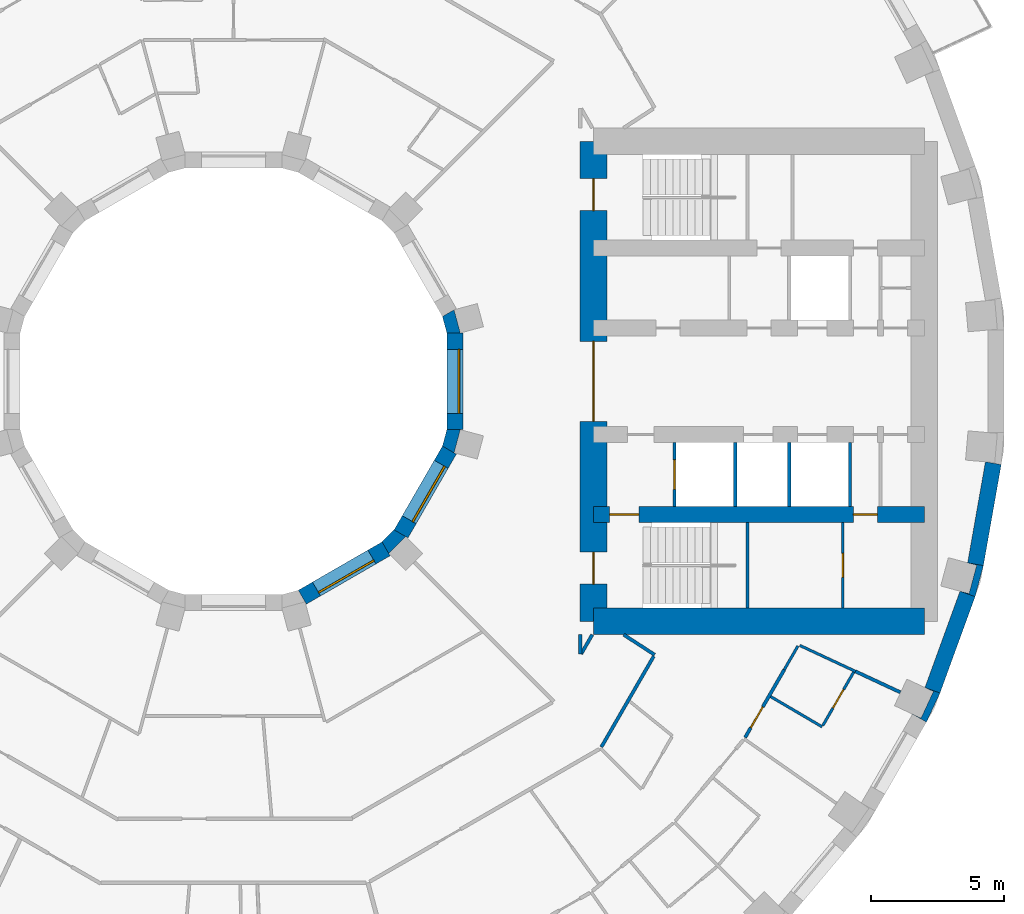
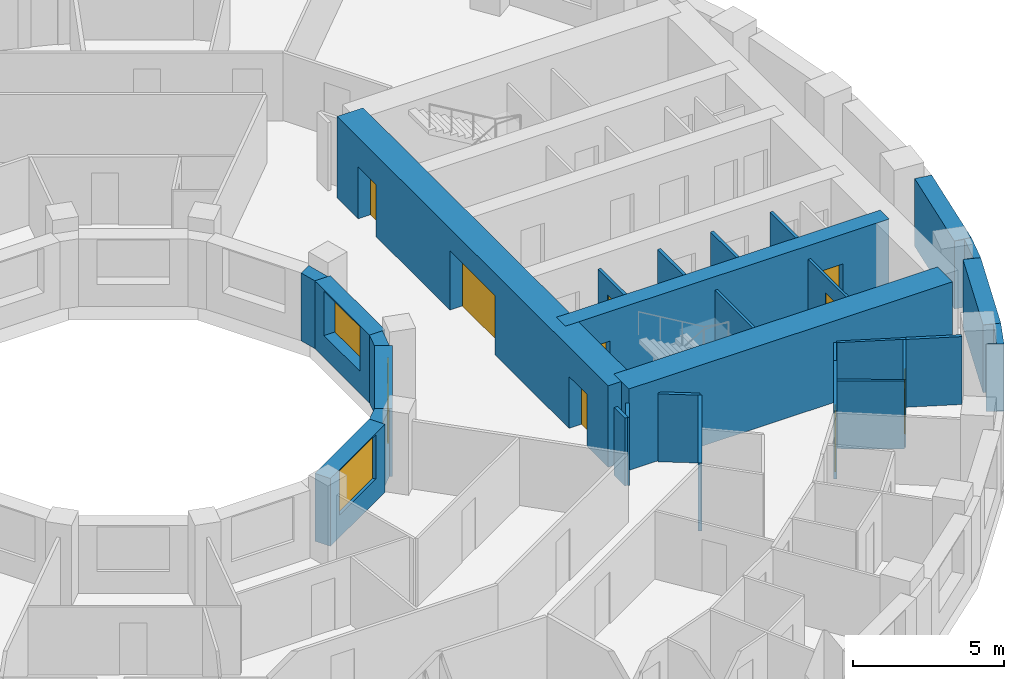
# One storey, part 8 of 15: 29 walls, 9 doors, 3 windows, 12 openings.
"""IFC4 building model written with IfcOpenShell, lengths in metres."""

from ifc_helpers import new_model, si_unit, direction, frame, frame_2d, origin, place, context, subcontext, project, spatial, polyline, rectangle, outline, extrude, material, layer, layer_set, type_object, element, fill, save


model = new_model("IFC4")

# Units and contexts
model_context = context("Model", 3, precision=1e-05, world=origin(), true_north=direction((0.0, 1.0)))
body_context = subcontext(model_context, "Body", "Model", "MODEL_VIEW")
ifc_project = project(units=[si_unit("LENGTHUNIT", "METRE"), si_unit("AREAUNIT", "SQUARE_METRE"), si_unit("VOLUMEUNIT", "CUBIC_METRE"), si_unit("PLANEANGLEUNIT", "RADIAN"), si_unit("MASSUNIT", "GRAM", prefix="KILO")], contexts=[model_context])

# Site, building, storey
site_placement = place(None, origin())
site = spatial("IfcSite", under=ifc_project, at=site_placement, CompositionType="ELEMENT")
building_placement = place(site_placement, origin())
building = spatial("IfcBuilding", under=site, at=building_placement, Name="Saqina Gate Tower", CompositionType="ELEMENT")
storey_placement = place(building_placement, frame((0.0, 0.0, 69.199951171875)))
storey = spatial("IfcBuildingStorey", under=building, at=storey_placement, Name="L19", CompositionType="ELEMENT", Elevation=69.199951171875)

# Walls
ifc_material_1 = material(Name="Brick masonry (red)", Category="masonry")
wall_type_1 = type_object("IfcWallType", Name="BRICK PIER COPING RED", PredefinedType="SOLIDWALL", material=ifc_material_1)
wall_1_placement = place(storey_placement, origin())
element("IfcWall", 1, at=wall_1_placement, inside=storey, type_object=wall_type_1, Name="Pier cap L19 column 34", PredefinedType="SOLIDWALL", context=body_context, shape_type="SweptSolid", body=[
    extrude(outline(polyline([(26.48974609375, -11.687744140625), (25.92578125, -11.482666015625), (26.243408203125, -11.630615234375), (25.778564453125, -12.627685546875), (25.4609375, -12.4794921875), (25.980712890625, -12.779541015625), (26.48974609375, -11.687744140625)])), origin(), (0.0, 0.0, 1.0), 2.75),
])
wall_2_placement = place(storey_placement, origin())
element("IfcWall", 2, at=wall_2_placement, inside=storey, type_object=wall_type_1, Name="Pier cap L19 column 35", PredefinedType="SOLIDWALL", context=body_context, shape_type="SweptSolid", body=[
    extrude(outline(polyline([(28.11669921875, -6.910400390625), (27.52587890625, -6.80615234375), (27.864501953125, -6.896728515625), (27.57958984375, -7.95947265625), (27.2412109375, -7.86865234375), (27.80517578125, -8.073974609375), (28.11669921875, -6.910400390625)])), origin(), (0.0, 0.0, 1.0), 2.75),
])

# Wall, opening, door
ifc_material_2 = material(Name="Gypsum board on steel studs", Category="steel")
ifc_layer_1 = layer(ifc_material_2, 0.10009765625)
ifc_layer_set_1 = layer_set([ifc_layer_1], Name="CORE PARTITION")
wall_type_2 = type_object("IfcWallType", Name="CORE PARTITION", PredefinedType="PARTITIONING", material=ifc_layer_set_1)
wall_3_placement = place(storey_placement, frame((22.846435546875, -8.5, 0.0), z_axis=(0.0, 0.0, 1.0), x_axis=(0.0, 1.0, 0.0)))
wall_3 = element("IfcWall", 3, at=wall_3_placement, inside=storey, type_object=wall_type_2, Name="L19-CP-E14", PredefinedType="PARTITIONING", context=body_context, shape_type="SweptSolid", body=[
    extrude(rectangle(XDim=3.199951171875, YDim=0.10009765625, at=frame_2d((1.60009765625, 0.0))), origin(), (0.0, 0.0, 1.0), 2.75),
])
opening_1_placement = place(wall_3_placement, frame((1.14990234375, 0.0, 0.0)))
opening_1 = element("IfcOpeningElement", 4, at=opening_1_placement, cuts=wall_3, Name="Opening G05-D100", PredefinedType="OPENING", context=body_context, shape_type="SweptSolid", body=[
    extrude(rectangle(XDim=0.89990234375, YDim=2.10009765625, at=frame_2d((0.449951171875, 1.050048828125))), frame((0.0, 0.06201171875, 0.0), z_axis=(0.0, -1.0, 0.0), x_axis=(1.0, 0.0, 0.0)), (0.0, 0.0, 1.0), 0.1240234375),
])
ifc_material_3 = material(Name="Steel-framed fire door leaf, EI 60", Category="steel")
door_type_1 = type_object("IfcDoorType", Name="SERVICE ROOM DOOR 900", OperationType="SINGLE_SWING_LEFT", PredefinedType="DOOR", material=ifc_material_3)
door_1_placement = place(opening_1_placement, origin())
door_1 = element("IfcDoor", 5, at=door_1_placement, inside=storey, type_object=door_type_1, Name="L19-CD-E11", OperationType="SINGLE_SWING_LEFT", OverallHeight=2.10009765625, OverallWidth=0.89990234375, PredefinedType="DOOR", context=body_context, shape_type="SweptSolid", body=[
    extrude(rectangle(XDim=0.89990234375, YDim=2.10009765625, at=frame_2d((0.449951171875, 1.050048828125))), frame((0.0, 0.02490234375, 0.0), z_axis=(0.0, -1.0, 0.0), x_axis=(1.0, 0.0, 0.0)), (0.0, 0.0, 1.0), 0.050048828125),
])
fill(opening_1, door_1)

# Walls
ifc_material_4 = material(Name="Glazed ceramic tile", Category="ceramic")
ifc_layer_2 = layer(ifc_material_4, 0.60009765625)
ifc_layer_set_2 = layer_set([ifc_layer_2], Name="FW-TILE")
wall_type_3 = type_object("IfcWallType", Name="FW-TILE", PredefinedType="SOLIDWALL", material=ifc_layer_set_2)
wall_4_placement = place(storey_placement, frame((26.207763671875, -11.585205078125, 0.0), z_axis=(0.0, 0.0, 1.0), x_axis=(0.342028474173, 0.939689588564, 0.0)))
element("IfcWall", 6, at=wall_4_placement, inside=storey, type_object=wall_type_3, Name="Facade wall L19 facet 34", PredefinedType="SOLIDWALL", context=body_context, shape_type="SweptSolid", body=[
    extrude(rectangle(XDim=3.845947265625, YDim=0.60009765625, at=frame_2d((1.9228515625, 0.0))), origin(), (0.0, 0.0, 1.0), 2.75),
])
ifc_material_5 = material(Name="Glazed ceramic tile (dark blue)", Category="ceramic")
ifc_layer_3 = layer(ifc_material_5, 0.60009765625)
ifc_layer_set_3 = layer_set([ifc_layer_3], Name="FW-TILE-CB")
wall_type_4 = type_object("IfcWallType", Name="FW-TILE-CB", PredefinedType="SOLIDWALL", material=ifc_layer_set_3)
wall_5_placement = place(storey_placement, frame((27.8212890625, -6.858154296875, 0.0), z_axis=(0.0, 0.0, 1.0), x_axis=(0.173687553279, 0.984800809218, 0.0)))
element("IfcWall", 7, at=wall_5_placement, inside=storey, type_object=wall_type_4, Name="Facade wall L19 facet 35", PredefinedType="SOLIDWALL", context=body_context, shape_type="SweptSolid", body=[
    extrude(rectangle(XDim=3.845703125, YDim=0.60009765625, at=frame_2d((1.9228515625, 0.0))), origin(), (0.0, 0.0, 1.0), 2.75),
])

# Wall, opening, window
ifc_material_6 = material(Name="Glazed ceramic tile", Category="ceramic")
ifc_layer_4 = layer(ifc_material_6, 0.60009765625)
ifc_layer_set_4 = layer_set([ifc_layer_4], Name="IW-TILE")
wall_type_5 = type_object("IfcWallType", Name="IW-TILE", PredefinedType="SOLIDWALL", material=ifc_layer_set_4)
wall_6_placement = place(storey_placement, frame((2.580322265625, -8.09423828125, 0.0), z_axis=(0.0, 0.0, 1.0), x_axis=(0.866029693906, 0.499992569217, 0.0)))
wall_6 = element("IfcWall", 8, at=wall_6_placement, inside=storey, type_object=wall_type_5, Name="Well wall L19 facet 10", PredefinedType="SOLIDWALL", context=body_context, shape_type="SweptSolid", body=[
    extrude(rectangle(XDim=3.625, YDim=0.60009765625, at=frame_2d((1.8125, 0.0))), origin(), (0.0, 0.0, 1.0), 2.75),
])
opening_2_placement = place(wall_6_placement, frame((0.612548828125, 0.0, 0.89990234375)))
opening_2 = element("IfcOpeningElement", 9, at=opening_2_placement, cuts=wall_6, Name="Opening G05-W32", PredefinedType="OPENING", context=body_context, shape_type="SweptSolid", body=[
    extrude(rectangle(XDim=2.39990234375, YDim=1.800048828125, at=frame_2d((1.199951171875, 0.89990234375))), frame((0.0, 0.31201171875, 0.0), z_axis=(0.0, -1.0, 0.0), x_axis=(1.0, 0.0, 0.0)), (0.0, 0.0, 1.0), 0.6240234375),
])
ifc_material_7 = material(Name="Aluminium glazing", Category="aluminium")
window_type = type_object("IfcWindowType", Name="WN-W", PartitioningType="SINGLE_PANEL", PredefinedType="WINDOW", material=ifc_material_7)
window_1_placement = place(opening_2_placement, origin())
window_1 = element("IfcWindow", 10, at=window_1_placement, inside=storey, type_object=window_type, Name="Well window L19 facet 10", OverallHeight=1.800048828125, OverallWidth=2.39990234375, PartitioningType="SINGLE_PANEL", PredefinedType="WINDOW", context=body_context, shape_type="SweptSolid", body=[
    extrude(rectangle(XDim=2.39990234375, YDim=1.800048828125, at=frame_2d((1.199951171875, 0.89990234375))), frame((0.0, -0.119873046875, 0.0), z_axis=(0.0, -1.0, 0.0), x_axis=(1.0, 0.0, 0.0)), (0.0, 0.0, 1.0), 0.06005859375),
])
fill(opening_2, window_1)

wall_7_placement = place(storey_placement, frame((6.28173828125, -5.7197265625, 0.0), z_axis=(0.0, 0.0, 1.0), x_axis=(0.499992569217, 0.866029693906, 0.0)))
wall_7 = element("IfcWall", 11, at=wall_7_placement, inside=storey, type_object=wall_type_5, Name="Well wall L19 facet 11", PredefinedType="SOLIDWALL", context=body_context, shape_type="SweptSolid", body=[
    extrude(rectangle(XDim=3.625, YDim=0.60009765625, at=frame_2d((1.8125, 0.0))), origin(), (0.0, 0.0, 1.0), 2.75),
])
opening_3_placement = place(wall_7_placement, frame((0.612548828125, 0.0, 0.89990234375)))
opening_3 = element("IfcOpeningElement", 12, at=opening_3_placement, cuts=wall_7, Name="Opening G05-W33", PredefinedType="OPENING", context=body_context, shape_type="SweptSolid", body=[
    extrude(rectangle(XDim=2.39990234375, YDim=1.800048828125, at=frame_2d((1.199951171875, 0.89990234375))), frame((0.0, 0.31201171875, 0.0), z_axis=(0.0, -1.0, 0.0), x_axis=(1.0, 0.0, 0.0)), (0.0, 0.0, 1.0), 0.6240234375),
])
window_2_placement = place(opening_3_placement, origin())
window_2 = element("IfcWindow", 13, at=window_2_placement, inside=storey, type_object=window_type, Name="Well window L19 facet 11", OverallHeight=1.800048828125, OverallWidth=2.39990234375, PartitioningType="SINGLE_PANEL", PredefinedType="WINDOW", context=body_context, shape_type="SweptSolid", body=[
    extrude(rectangle(XDim=2.39990234375, YDim=1.800048828125, at=frame_2d((1.199951171875, 0.89990234375))), frame((0.0, -0.119873046875, 0.0), z_axis=(0.0, -1.0, 0.0), x_axis=(1.0, 0.0, 0.0)), (0.0, 0.0, 1.0), 0.06005859375),
])
fill(opening_3, window_2)

wall_8_placement = place(storey_placement, frame((8.300048828125, -1.8125, 0.0), z_axis=(0.0, 0.0, 1.0), x_axis=(0.0, 1.0, 0.0)))
wall_8 = element("IfcWall", 14, at=wall_8_placement, inside=storey, type_object=wall_type_5, Name="Well wall L19 facet 12", PredefinedType="SOLIDWALL", context=body_context, shape_type="SweptSolid", body=[
    extrude(rectangle(XDim=3.625, YDim=0.60009765625, at=frame_2d((1.8125, 0.0))), origin(), (0.0, 0.0, 1.0), 2.75),
])
opening_4_placement = place(wall_8_placement, frame((0.612548828125, 0.0, 0.89990234375)))
opening_4 = element("IfcOpeningElement", 15, at=opening_4_placement, cuts=wall_8, Name="Opening G05-W34", PredefinedType="OPENING", context=body_context, shape_type="SweptSolid", body=[
    extrude(rectangle(XDim=2.39990234375, YDim=1.800048828125, at=frame_2d((1.199951171875, 0.89990234375))), frame((0.0, 0.31201171875, 0.0), z_axis=(0.0, -1.0, 0.0), x_axis=(1.0, 0.0, 0.0)), (0.0, 0.0, 1.0), 0.6240234375),
])
window_3_placement = place(opening_4_placement, origin())
window_3 = element("IfcWindow", 16, at=window_3_placement, inside=storey, type_object=window_type, Name="Well window L19 facet 12", OverallHeight=1.800048828125, OverallWidth=2.39990234375, PartitioningType="SINGLE_PANEL", PredefinedType="WINDOW", context=body_context, shape_type="SweptSolid", body=[
    extrude(rectangle(XDim=2.39990234375, YDim=1.800048828125, at=frame_2d((1.199951171875, 0.89990234375))), frame((0.0, -0.119873046875, 0.0), z_axis=(0.0, -1.0, 0.0), x_axis=(1.0, 0.0, 0.0)), (0.0, 0.0, 1.0), 0.06005859375),
])
fill(opening_4, window_3)

# Walls
ifc_material_8 = material(Name="Gypsum board on steel studs, 100 mm", Category="steel")
ifc_layer_5 = layer(ifc_material_8, 0.10009765625)
ifc_layer_set_5 = layer_set([ifc_layer_5], Name="PARTITION 100")
wall_type_6 = type_object("IfcWallType", Name="PARTITION 100", PredefinedType="PARTITIONING", material=ifc_layer_set_5)
wall_9_placement = place(storey_placement, frame((20.139892578125, -11.821533203125, 0.0), z_axis=(0.0, 0.0, 1.0), x_axis=(0.862374352329, -0.506271149134, 0.0)))
element("IfcWall", 17, at=wall_9_placement, inside=storey, type_object=wall_type_6, Name="PARTITION PW3-42", PredefinedType="PARTITIONING", context=body_context, shape_type="SweptSolid", body=[
    extrude(rectangle(XDim=2.237060546875, YDim=0.10009765625, at=frame_2d((1.11865234375, 0.0))), origin(), (0.0, 0.0, 1.0), 2.75),
])
wall_10_placement = place(storey_placement, frame((21.232421875, -9.903076171875, 0.0), z_axis=(0.0, 0.0, 1.0), x_axis=(0.906274952778, -0.422688667896, 0.0)))
element("IfcWall", 18, at=wall_10_placement, inside=storey, type_object=wall_type_6, Name="PARTITION PW3-49", PredefinedType="PARTITIONING", context=body_context, shape_type="SweptSolid", body=[
    extrude(rectangle(XDim=2.30908203125, YDim=0.10009765625, at=frame_2d((1.154541015625, 0.0))), origin(), (0.0, 0.0, 1.0), 2.75),
])

# Wall, opening, door
wall_11_placement = place(storey_placement, frame((22.093994140625, -12.91064453125, 0.0), z_axis=(0.0, 0.0, 1.0), x_axis=(0.500223263977, 0.865896463889, 0.0)))
wall_11 = element("IfcWall", 19, at=wall_11_placement, inside=storey, type_object=wall_type_6, Name="PARTITION PW3-96", PredefinedType="PARTITIONING", context=body_context, shape_type="SweptSolid", body=[
    extrude(rectangle(XDim=2.32080078125, YDim=0.10009765625, at=frame_2d((1.160400390625, 0.0))), origin(), (0.0, 0.0, 1.0), 2.75),
])
opening_5_placement = place(wall_11_placement, frame((0.761474609375, 0.0, 0.0)))
opening_5 = element("IfcOpeningElement", 20, at=opening_5_placement, cuts=wall_11, Name="Opening G05-D68", PredefinedType="OPENING", context=body_context, shape_type="SweptSolid", body=[
    extrude(rectangle(XDim=0.800048828125, YDim=2.10009765625, at=frame_2d((0.39990234375, 1.050048828125))), frame((0.0, 0.06201171875, 0.0), z_axis=(0.0, -1.0, 0.0), x_axis=(1.0, 0.0, 0.0)), (0.0, 0.0, 1.0), 0.1240234375),
])
ifc_material_9 = material(Name="Timber door leaf, 800 mm", Category="wood")
door_type_2 = type_object("IfcDoorType", Name="DOOR 800 TIMBER", OperationType="SINGLE_SWING_LEFT", PredefinedType="DOOR", material=ifc_material_9)
door_2_placement = place(opening_5_placement, frame((0.800048828125, 0.0, 0.0), z_axis=(0.0, 0.0, 1.0), x_axis=(-1.0, 0.0, 0.0)))
door_2 = element("IfcDoor", 21, at=door_2_placement, inside=storey, type_object=door_type_2, Name="DOOR G05-D68", OperationType="SINGLE_SWING_LEFT", OverallHeight=2.10009765625, OverallWidth=0.800048828125, PredefinedType="DOOR", context=body_context, shape_type="SweptSolid", body=[
    extrude(rectangle(XDim=0.800048828125, YDim=2.10009765625, at=frame_2d((0.39990234375, 1.050048828125))), frame((0.0, 0.02490234375, 0.0), z_axis=(0.0, -1.0, 0.0), x_axis=(1.0, 0.0, 0.0)), (0.0, 0.0, 1.0), 0.050048828125),
])
fill(opening_5, door_2)

# Walls
wall_12_placement = place(storey_placement, frame((20.646484375, -10.818603515625, 0.0), z_axis=(0.0, 0.0, 1.0), x_axis=(0.499797427156, 0.866142327685, 0.0)))
element("IfcWall", 22, at=wall_12_placement, inside=storey, type_object=wall_type_6, Name="PARTITION PW3-97", PredefinedType="PARTITIONING", context=body_context, shape_type="SweptSolid", body=[
    extrude(rectangle(XDim=1.03369140625, YDim=0.10009765625, at=frame_2d((0.516845703125, 0.0))), origin(), (0.0, 0.0, 1.0), 2.75),
])
ifc_material_10 = material(Name="Gypsum board on steel studs, 125 mm, fire rated", Category="steel")
ifc_layer_6 = layer(ifc_material_10, 0.125)
ifc_layer_set_6 = layer_set([ifc_layer_6], Name="PARTITION EI 30 125")
wall_type_7 = type_object("IfcWallType", Name="PARTITION EI 30 125", PredefinedType="PARTITIONING", material=ifc_layer_set_6)
wall_13_placement = place(storey_placement, frame((14.62890625, -9.5, 0.0), z_axis=(0.0, 0.0, 1.0), x_axis=(0.838830573332, -0.544392569056, 0.0)))
element("IfcWall", 23, at=wall_13_placement, inside=storey, type_object=wall_type_7, Name="PARTITION PW1-08", PredefinedType="PARTITIONING", context=body_context, shape_type="SweptSolid", body=[
    extrude(rectangle(XDim=1.383056640625, YDim=0.125, at=frame_2d((0.69140625, 0.0))), origin(), (0.0, 0.0, 1.0), 2.75),
])
wall_14_placement = place(storey_placement, frame((23.3251953125, -10.879150390625, 0.0), z_axis=(0.0, 0.0, 1.0), x_axis=(0.906348054162, -0.422531897869, 0.0)))
element("IfcWall", 24, at=wall_14_placement, inside=storey, type_object=wall_type_7, Name="PARTITION PW1-15", PredefinedType="PARTITIONING", context=body_context, shape_type="SweptSolid", body=[
    extrude(rectangle(XDim=1.8525390625, YDim=0.125, at=frame_2d((0.92626953125, 0.0))), origin(), (0.0, 0.0, 1.0), 2.75),
])

# Wall, opening, door
wall_15_placement = place(storey_placement, frame((19.182373046875, -13.35498046875, 0.0), z_axis=(0.0, 0.0, 1.0), x_axis=(0.500092867575, 0.865971780025, 0.0)))
wall_15 = element("IfcWall", 25, at=wall_15_placement, inside=storey, type_object=wall_type_7, Name="PARTITION PW1-46", PredefinedType="PARTITIONING", context=body_context, shape_type="SweptSolid", body=[
    extrude(rectangle(XDim=2.9287109375, YDim=0.125, at=frame_2d((1.46435546875, 0.0))), origin(), (0.0, 0.0, 1.0), 2.75),
])
opening_6_placement = place(wall_15_placement, frame((0.42236328125, 0.0, 0.0)))
opening_6 = element("IfcOpeningElement", 26, at=opening_6_placement, cuts=wall_15, Name="Opening G05-D67", PredefinedType="OPENING", context=body_context, shape_type="SweptSolid", body=[
    extrude(rectangle(XDim=0.89990234375, YDim=2.10009765625, at=frame_2d((0.449951171875, 1.050048828125))), frame((0.0, 0.074462890625, 0.0), z_axis=(0.0, -1.0, 0.0), x_axis=(1.0, 0.0, 0.0)), (0.0, 0.0, 1.0), 0.14892578125),
])
ifc_material_11 = material(Name="Fire door leaf EI 30, 900 mm")
door_type_3 = type_object("IfcDoorType", Name="DOOR 900 EI 30", OperationType="SINGLE_SWING_LEFT", PredefinedType="DOOR", material=ifc_material_11)
door_3_placement = place(opening_6_placement, origin())
door_3 = element("IfcDoor", 27, at=door_3_placement, inside=storey, type_object=door_type_3, Name="DOOR G05-D67", OperationType="SINGLE_SWING_LEFT", OverallHeight=2.10009765625, OverallWidth=0.89990234375, PredefinedType="DOOR", context=body_context, shape_type="SweptSolid", body=[
    extrude(rectangle(XDim=0.89990234375, YDim=2.10009765625, at=frame_2d((0.449951171875, 1.050048828125))), frame((0.0, 0.02490234375, 0.0), z_axis=(0.0, -1.0, 0.0), x_axis=(1.0, 0.0, 0.0)), (0.0, 0.0, 1.0), 0.050048828125),
])
fill(opening_6, door_3)

# Walls
wall_16_placement = place(storey_placement, frame((13.794189453125, -13.708984375, 0.0), z_axis=(0.0, 0.0, 1.0), x_axis=(0.499916150712, 0.866073808781, 0.0)))
element("IfcWall", 28, at=wall_16_placement, inside=storey, type_object=wall_type_7, Name="PARTITION PW1-47", PredefinedType="PARTITIONING", context=body_context, shape_type="SweptSolid", body=[
    extrude(rectangle(XDim=3.927978515625, YDim=0.125, at=frame_2d((1.9638671875, 0.0))), origin(), (0.0, 0.0, 1.0), 2.75),
])
wall_17_placement = place(storey_placement, frame((13.034912109375, -10.222412109375, 0.0), z_axis=(0.0, 0.0, 1.0), x_axis=(0.49991670217, 0.866073490468, 0.0)))
element("IfcWall", 29, at=wall_17_placement, inside=storey, type_object=wall_type_7, Name="PARTITION PW1-48", PredefinedType="PARTITIONING", context=body_context, shape_type="SweptSolid", body=[
    extrude(rectangle(XDim=0.834228515625, YDim=0.125, at=frame_2d((0.4169921875, 0.0))), origin(), (0.0, 0.0, 1.0), 2.75),
])
wall_18_placement = place(storey_placement, frame((13.0, -10.220458984375, 0.0), z_axis=(0.0, 0.0, 1.0), x_axis=(0.0, 1.0, 0.0)))
element("IfcWall", 30, at=wall_18_placement, inside=storey, type_object=wall_type_7, Name="PARTITION PW1-53", PredefinedType="PARTITIONING", context=body_context, shape_type="SweptSolid", body=[
    extrude(rectangle(XDim=0.720458984375, YDim=0.125, at=frame_2d((0.3603515625, 0.0))), origin(), (0.0, 0.0, 1.0), 2.75),
])

# Wall, opening, door
ifc_material_12 = material(Name="Autoclaved aerated concrete block", Category="concrete")
ifc_layer_7 = layer(ifc_material_12, 0.1201171875)
ifc_layer_set_7 = layer_set([ifc_layer_7], Name="SHAFT PARTITION")
wall_type_8 = type_object("IfcWallType", Name="SHAFT PARTITION", PredefinedType="PARTITIONING", material=ifc_layer_set_7)
wall_19_placement = place(storey_placement, frame((16.530029296875, -4.699951171875, 0.0), z_axis=(0.0, 0.0, 1.0), x_axis=(0.0, 1.0, 0.0)))
wall_19 = element("IfcWall", 31, at=wall_19_placement, inside=storey, type_object=wall_type_8, Name="L19-CP-E05", PredefinedType="PARTITIONING", context=body_context, shape_type="SweptSolid", body=[
    extrude(rectangle(XDim=2.39990234375, YDim=0.1201171875, at=frame_2d((1.199951171875, 0.0))), origin(), (0.0, 0.0, 1.0), 2.75),
])
opening_7_placement = place(wall_19_placement, frame((0.64990234375, 0.0, 0.0)))
opening_7 = element("IfcOpeningElement", 32, at=opening_7_placement, cuts=wall_19, Name="Opening G05-LD2", PredefinedType="OPENING", context=body_context, shape_type="SweptSolid", body=[
    extrude(rectangle(XDim=1.10009765625, YDim=2.10009765625, at=frame_2d((0.550048828125, 1.050048828125))), frame((0.0, 0.072021484375, 0.0), z_axis=(0.0, -1.0, 0.0), x_axis=(1.0, 0.0, 0.0)), (0.0, 0.0, 1.0), 0.14404296875),
])
ifc_material_13 = material(Name="Stainless steel", Category="steel")
door_type_4 = type_object("IfcDoorType", Name="LANDING DOOR", OperationType="DOUBLE_DOOR_SLIDING", PredefinedType="DOOR", material=ifc_material_13)
door_4_placement = place(opening_7_placement, origin())
door_4 = element("IfcDoor", 33, at=door_4_placement, inside=storey, type_object=door_type_4, Name="LANDING DOOR FF1", OperationType="DOUBLE_DOOR_SLIDING", OverallHeight=2.10009765625, OverallWidth=1.10009765625, PredefinedType="DOOR", context=body_context, shape_type="SweptSolid", body=[
    extrude(rectangle(XDim=1.10009765625, YDim=2.10009765625, at=frame_2d((0.550048828125, 1.050048828125))), frame((0.0, 0.02490234375, 0.0), z_axis=(0.0, -1.0, 0.0), x_axis=(1.0, 0.0, 0.0)), (0.0, 0.0, 1.0), 0.050048828125),
])
fill(opening_7, door_4)

# Walls
for number, where, z_axis, x_axis, name in (
    (34, (18.81005859375, -4.699951171875, 0.0), (0.0, 0.0, 1.0), (0.0, 1.0, 0.0), "L19-CP-E06"),
    (35, (20.840087890625, -4.699951171875, 0.0), (0.0, 0.0, 1.0), (0.0, 1.0, 0.0), "L19-CP-E07"),
    (36, (23.1201171875, -4.699951171875, 0.0), (0.0, 0.0, 1.0), (0.0, 1.0, 0.0), "L19-CP-E08"),
):
    element("IfcWall", number, at=place(storey_placement, frame(where, z_axis=z_axis, x_axis=x_axis)), inside=storey, type_object=wall_type_8, Name=name, PredefinedType="PARTITIONING", context=body_context, shape_type="SweptSolid", body=[
        extrude(rectangle(XDim=2.39990234375, YDim=0.1201171875, at=frame_2d((1.199951171875, 0.0))), origin(), (0.0, 0.0, 1.0), 2.75),
    ])
ifc_material_14 = material(Name="Autoclaved aerated concrete block", Category="concrete")
ifc_layer_8 = layer(ifc_material_14, 0.10009765625)
ifc_layer_set_8 = layer_set([ifc_layer_8], Name="STAIR ENCLOSURE WALL")
wall_type_9 = type_object("IfcWallType", Name="STAIR ENCLOSURE WALL", PredefinedType="PARTITIONING", material=ifc_layer_set_8)
wall_20_placement = place(storey_placement, frame((19.27001953125, -8.5, 0.0), z_axis=(0.0, 0.0, 1.0), x_axis=(0.0, 1.0, 0.0)))
element("IfcWall", 37, at=wall_20_placement, inside=storey, type_object=wall_type_9, Name="L19-CP-E13", PredefinedType="PARTITIONING", context=body_context, shape_type="SweptSolid", body=[
    extrude(rectangle(XDim=3.199951171875, YDim=0.10009765625, at=frame_2d((1.60009765625, 0.0))), origin(), (0.0, 0.0, 1.0), 2.75),
])

# Wall, openings, doors
ifc_material_15 = material(Name="Concrete C70/85", Category="concrete")
ifc_layer_9 = layer(ifc_material_15, 0.60009765625)
ifc_layer_set_9 = layer_set([ifc_layer_9], Name="Concrete C70/85")
wall_type_10 = type_object("IfcWallType", Name="STR-CORE WALL-A-I", PredefinedType="SHEAR", material=ifc_layer_set_9)
wall_21_placement = place(storey_placement, frame((13.5, -5.0, 0.0), z_axis=(0.0, 0.0, 1.0), x_axis=(1.0, 0.0, 0.0)))
wall_21 = element("IfcWall", 38, at=wall_21_placement, inside=storey, type_object=wall_type_10, Name="CORE WALL L19 E-X2", PredefinedType="SHEAR", context=body_context, shape_type="SweptSolid", body=[
    extrude(rectangle(XDim=12.39990234375, YDim=0.60009765625, at=frame_2d((6.199951171875, 0.0))), origin(), (0.0, 0.0, 1.0), 3.300048828125),
])
opening_8_placement = place(wall_21_placement, frame((9.739990234375, 0.0, 0.0)))
opening_8 = element("IfcOpeningElement", 39, at=opening_8_placement, cuts=wall_21, Name="Opening G05-D101", PredefinedType="OPENING", context=body_context, shape_type="SweptSolid", body=[
    extrude(rectangle(XDim=0.89990234375, YDim=2.10009765625, at=frame_2d((0.449951171875, 1.050048828125))), frame((0.0, 0.31201171875, 0.0), z_axis=(0.0, -1.0, 0.0), x_axis=(1.0, 0.0, 0.0)), (0.0, 0.0, 1.0), 0.6240234375),
])
opening_9_placement = place(wall_21_placement, frame((0.60009765625, 0.0, 0.0)))
opening_9 = element("IfcOpeningElement", 40, at=opening_9_placement, cuts=wall_21, Name="Opening G05-D102", PredefinedType="OPENING", context=body_context, shape_type="SweptSolid", body=[
    extrude(rectangle(XDim=1.10009765625, YDim=2.10009765625, at=frame_2d((0.550048828125, 1.050048828125))), frame((0.0, 0.31201171875, 0.0), z_axis=(0.0, -1.0, 0.0), x_axis=(1.0, 0.0, 0.0)), (0.0, 0.0, 1.0), 0.6240234375),
])
ifc_material_16 = material(Name="Steel", Category="steel")
door_type_5 = type_object("IfcDoorType", Name="FIRE LOBBY DOOR EI 60 WIDE", OperationType="SINGLE_SWING_LEFT", PredefinedType="DOOR", material=ifc_material_16)
door_5_placement = place(opening_9_placement, frame((1.10009765625, 0.0, 0.0), z_axis=(0.0, 0.0, 1.0), x_axis=(-1.0, 0.0, 0.0)))
door_5 = element("IfcDoor", 41, at=door_5_placement, inside=storey, type_object=door_type_5, Name="L19-CD-E13", OperationType="SINGLE_SWING_RIGHT", OverallHeight=2.10009765625, OverallWidth=1.10009765625, PredefinedType="DOOR", context=body_context, shape_type="SweptSolid", body=[
    extrude(rectangle(XDim=1.10009765625, YDim=2.10009765625, at=frame_2d((0.550048828125, 1.050048828125))), frame((0.0, 0.02490234375, 0.0), z_axis=(0.0, -1.0, 0.0), x_axis=(1.0, 0.0, 0.0)), (0.0, 0.0, 1.0), 0.050048828125),
])
fill(opening_9, door_5)
door_6_placement = place(opening_8_placement, frame((0.89990234375, 0.0, 0.0), z_axis=(0.0, 0.0, 1.0), x_axis=(-1.0, 0.0, 0.0)))
door_6 = element("IfcDoor", 42, at=door_6_placement, inside=storey, type_object=door_type_1, Name="L19-CD-E12", OperationType="SINGLE_SWING_RIGHT", OverallHeight=2.10009765625, OverallWidth=0.89990234375, PredefinedType="DOOR", context=body_context, shape_type="SweptSolid", body=[
    extrude(rectangle(XDim=0.89990234375, YDim=2.10009765625, at=frame_2d((0.449951171875, 1.050048828125))), frame((0.0, 0.02490234375, 0.0), z_axis=(0.0, -1.0, 0.0), x_axis=(1.0, 0.0, 0.0)), (0.0, 0.0, 1.0), 0.050048828125),
])
fill(opening_8, door_6)

ifc_material_17 = material(Name="Concrete C70/85", Category="concrete")
ifc_layer_10 = layer(ifc_material_17, 1.0)
ifc_layer_set_10 = layer_set([ifc_layer_10], Name="Concrete C70/85")
wall_type_11 = type_object("IfcWallType", Name="STR-CORE WALL-A-O", PredefinedType="SHEAR", material=ifc_layer_set_10)
wall_22_placement = place(storey_placement, frame((13.5, -9.0, 0.0), z_axis=(0.0, 0.0, 1.0), x_axis=(0.0, 1.0, 0.0)))
wall_22 = element("IfcWall", 43, at=wall_22_placement, inside=storey, type_object=wall_type_11, Name="CORE WALL L19 E-W1", PredefinedType="SHEAR", context=body_context, shape_type="SweptSolid", body=[
    extrude(rectangle(XDim=18.0, YDim=1.0, at=frame_2d((9.0, 0.0))), origin(), (0.0, 0.0, 1.0), 3.300048828125),
])
opening_10_placement = place(wall_22_placement, frame((15.39990234375, 0.0, 0.0)))
opening_10 = element("IfcOpeningElement", 44, at=opening_10_placement, cuts=wall_22, Name="Opening G05-D103", PredefinedType="OPENING", context=body_context, shape_type="SweptSolid", body=[
    extrude(rectangle(XDim=1.199951171875, YDim=2.10009765625, at=frame_2d((0.60009765625, 1.050048828125))), frame((0.0, 0.511962890625, 0.0), z_axis=(0.0, -1.0, 0.0), x_axis=(1.0, 0.0, 0.0)), (0.0, 0.0, 1.0), 1.02392578125),
])
opening_11_placement = place(wall_22_placement, frame((1.39990234375, 0.0, 0.0)))
opening_11 = element("IfcOpeningElement", 45, at=opening_11_placement, cuts=wall_22, Name="Opening G05-D104", PredefinedType="OPENING", context=body_context, shape_type="SweptSolid", body=[
    extrude(rectangle(XDim=1.199951171875, YDim=2.10009765625, at=frame_2d((0.60009765625, 1.050048828125))), frame((0.0, 0.511962890625, 0.0), z_axis=(0.0, -1.0, 0.0), x_axis=(1.0, 0.0, 0.0)), (0.0, 0.0, 1.0), 1.02392578125),
])
opening_12_placement = place(wall_22_placement, frame((7.5, 0.0, 0.0)))
opening_12 = element("IfcOpeningElement", 46, at=opening_12_placement, cuts=wall_22, Name="Opening G05-D105", PredefinedType="OPENING", context=body_context, shape_type="SweptSolid", body=[
    extrude(rectangle(XDim=3.0, YDim=2.39990234375, at=frame_2d((1.5, 1.199951171875))), frame((0.0, 0.511962890625, 0.0), z_axis=(0.0, -1.0, 0.0), x_axis=(1.0, 0.0, 0.0)), (0.0, 0.0, 1.0), 1.02392578125),
])
ifc_material_18 = material(Name="Steel", Category="steel")
door_type_6 = type_object("IfcDoorType", Name="FIRE DOOR EI 60", OperationType="SINGLE_SWING_LEFT", PredefinedType="DOOR", material=ifc_material_18)
door_7_placement = place(opening_10_placement, frame((1.199951171875, 0.0, 0.0), z_axis=(0.0, 0.0, 1.0), x_axis=(-1.0, 0.0, 0.0)))
door_7 = element("IfcDoor", 47, at=door_7_placement, inside=storey, type_object=door_type_6, Name="L19-CD-E14", OperationType="SINGLE_SWING_LEFT", OverallHeight=2.10009765625, OverallWidth=1.199951171875, PredefinedType="DOOR", context=body_context, shape_type="SweptSolid", body=[
    extrude(rectangle(XDim=1.199951171875, YDim=2.10009765625, at=frame_2d((0.60009765625, 1.050048828125))), frame((0.0, 0.02490234375, 0.0), z_axis=(0.0, -1.0, 0.0), x_axis=(1.0, 0.0, 0.0)), (0.0, 0.0, 1.0), 0.050048828125),
])
fill(opening_10, door_7)
door_8_placement = place(opening_11_placement, frame((1.199951171875, 0.0, 0.0), z_axis=(0.0, 0.0, 1.0), x_axis=(-1.0, 0.0, 0.0)))
door_8 = element("IfcDoor", 48, at=door_8_placement, inside=storey, type_object=door_type_6, Name="L19-CD-E15", OperationType="SINGLE_SWING_RIGHT", OverallHeight=2.10009765625, OverallWidth=1.199951171875, PredefinedType="DOOR", context=body_context, shape_type="SweptSolid", body=[
    extrude(rectangle(XDim=1.199951171875, YDim=2.10009765625, at=frame_2d((0.60009765625, 1.050048828125))), frame((0.0, 0.02490234375, 0.0), z_axis=(0.0, -1.0, 0.0), x_axis=(1.0, 0.0, 0.0)), (0.0, 0.0, 1.0), 0.050048828125),
])
fill(opening_11, door_8)
ifc_material_19 = material(Name="Steel and fire-resisting glass", Category="steel")
door_type_7 = type_object("IfcDoorType", Name="LOBBY SCREEN DOOR", OperationType="DOUBLE_DOOR_SLIDING", PredefinedType="DOOR", material=ifc_material_19)
door_9_placement = place(opening_12_placement, origin())
door_9 = element("IfcDoor", 49, at=door_9_placement, inside=storey, type_object=door_type_7, Name="L19-CD-E16", OperationType="DOUBLE_DOOR_SLIDING", OverallHeight=2.39990234375, OverallWidth=3.0, PredefinedType="DOOR", context=body_context, shape_type="SweptSolid", body=[
    extrude(rectangle(XDim=3.0, YDim=2.39990234375, at=frame_2d((1.5, 1.199951171875))), frame((0.0, 0.02490234375, 0.0), z_axis=(0.0, -1.0, 0.0), x_axis=(1.0, 0.0, 0.0)), (0.0, 0.0, 1.0), 0.050048828125),
])
fill(opening_12, door_9)

# Walls
wall_23_placement = place(storey_placement, frame((13.5, -9.0, 0.0), z_axis=(0.0, 0.0, 1.0), x_axis=(1.0, 0.0, 0.0)))
element("IfcWall", 50, at=wall_23_placement, inside=storey, type_object=wall_type_11, Name="CORE WALL L19 E-SE", PredefinedType="SHEAR", context=body_context, shape_type="SweptSolid", body=[
    extrude(rectangle(XDim=12.39990234375, YDim=1.0, at=frame_2d((6.199951171875, 0.0))), origin(), (0.0, 0.0, 1.0), 3.300048828125),
])
ifc_material_20 = material(Name="Glazed ceramic tile", Category="ceramic")
wall_type_12 = type_object("IfcWallType", Name="TILE PIER COPING", PredefinedType="SOLIDWALL", material=ifc_material_20)
wall_24_placement = place(storey_placement, origin())
element("IfcWall", 51, at=wall_24_placement, inside=storey, type_object=wall_type_12, Name="Well pier cap L19 column 1", PredefinedType="SOLIDWALL", context=body_context, shape_type="SweptSolid", body=[
    extrude(outline(polyline([(8.27001953125, 2.681884765625), (7.83447265625, 2.430419921875), (8.0, 1.8125), (8.502685546875, 1.8125), (8.27001953125, 2.681884765625)])), origin(), (0.0, 0.0, 1.0), 2.75),
])
wall_25_placement = place(storey_placement, origin())
element("IfcWall", 52, at=wall_25_placement, inside=storey, type_object=wall_type_12, Name="Well pier cap L19 column 11", PredefinedType="SOLIDWALL", context=body_context, shape_type="SweptSolid", body=[
    extrude(outline(polyline([(5.821044921875, -6.45751953125), (6.45751953125, -5.821044921875), (6.02197265625, -5.569580078125), (5.569580078125, -6.02197265625), (5.821044921875, -6.45751953125)])), origin(), (0.0, 0.0, 1.0), 2.75),
])
wall_26_placement = place(storey_placement, origin())
element("IfcWall", 53, at=wall_26_placement, inside=storey, type_object=wall_type_12, Name="Well pier cap L19 column 12", PredefinedType="SOLIDWALL", context=body_context, shape_type="SweptSolid", body=[
    extrude(outline(polyline([(8.502685546875, -1.8125), (8.0, -1.8125), (7.83447265625, -2.430419921875), (8.27001953125, -2.681884765625), (8.502685546875, -1.8125)])), origin(), (0.0, 0.0, 1.0), 2.75),
])

save(model, "model.ifc")
